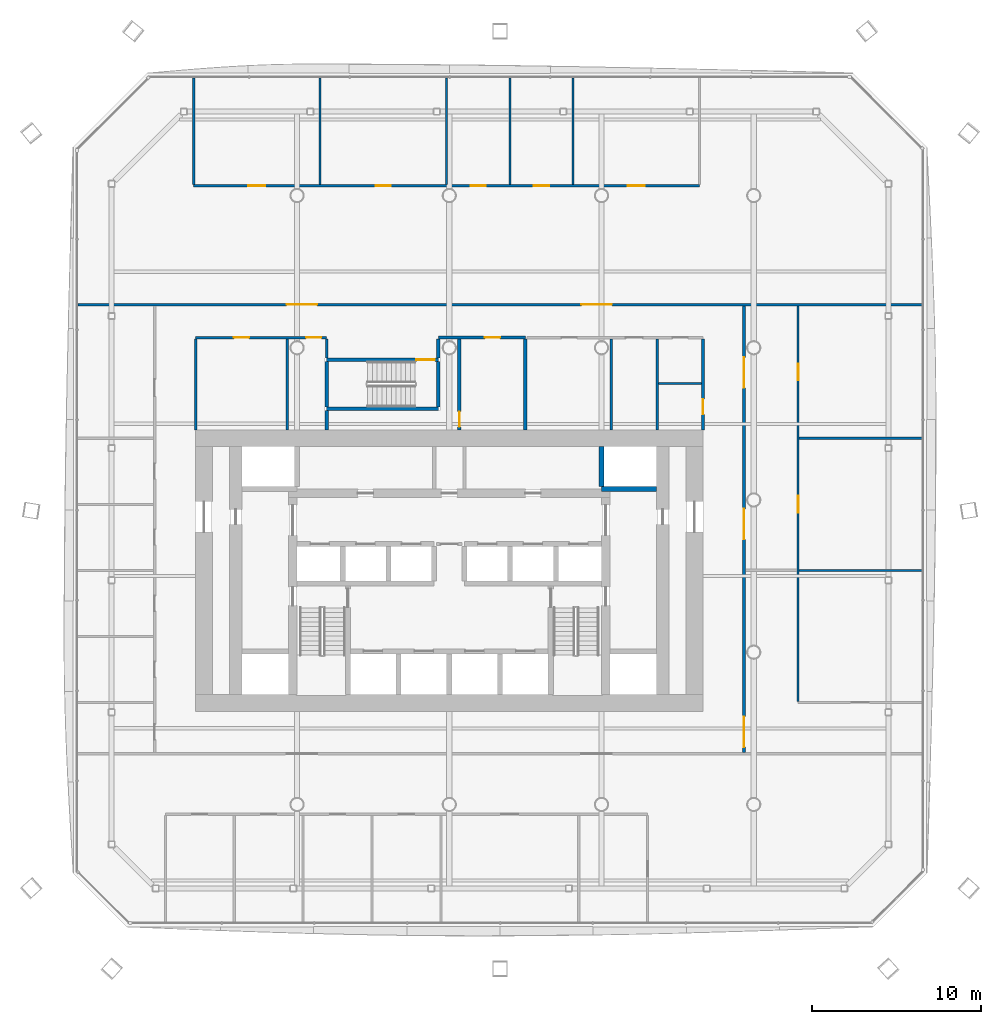
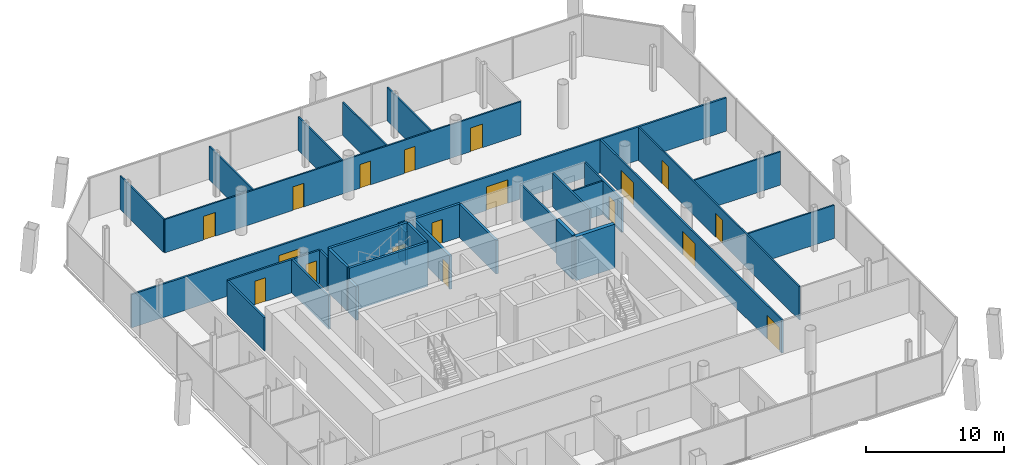
# One storey, part 13 of 19: 30 walls, 18 doors, 18 openings.
"""IFC4 building model written with IfcOpenShell, lengths in metres."""

from ifc_helpers import new_model, si_unit, direction, frame, frame_2d, origin, place, context, subcontext, project, spatial, rectangle, extrude, material, layer, layer_set, type_object, element, fill, save


model = new_model("IFC4")

# Units and contexts
model_context = context("Model", 3, precision=1e-05, world=origin(), true_north=direction((0.0, 1.0)))
body_context = subcontext(model_context, "Body", "Model", "MODEL_VIEW")
ifc_project = project(units=[si_unit("LENGTHUNIT", "METRE"), si_unit("AREAUNIT", "SQUARE_METRE"), si_unit("VOLUMEUNIT", "CUBIC_METRE"), si_unit("PLANEANGLEUNIT", "RADIAN"), si_unit("MASSUNIT", "GRAM", prefix="KILO")], contexts=[model_context])

# Site, building, storey
site_placement = place(None, origin())
site = spatial("IfcSite", under=ifc_project, at=site_placement, CompositionType="ELEMENT")
building_placement = place(site_placement, origin())
building = spatial("IfcBuilding", under=site, at=building_placement, Name="Tskaro Facet Tower", CompositionType="ELEMENT")
storey_placement = place(building_placement, frame((0.0, 0.0, 81.60009765625)))
storey = spatial("IfcBuildingStorey", under=building, at=storey_placement, Name="L19", CompositionType="ELEMENT", Elevation=81.60009765625)

# Walls
ifc_material_1 = material(Name="Concrete C60/75", Category="concrete")
ifc_layer_1 = layer(ifc_material_1, 0.300048828125, Name="Concrete C60/75")
ifc_layer_set_1 = layer_set([ifc_layer_1], Name="Concrete C60/75")
wall_type_1 = type_object("IfcWallType", Name="CORE-SHAFT", PredefinedType="SHEAR", material=ifc_layer_set_1)
wall_1_placement = place(storey_placement, frame((12.25, 0.64990234375, 0.0), z_axis=(0.0, 0.0, 1.0), x_axis=(-1.0, 0.0, 0.0)))
element("IfcWall", 1, at=wall_1_placement, inside=storey, type_object=wall_type_1, Name="Shaft wall W019", PredefinedType="SHEAR", context=body_context, shape_type="SweptSolid", body=[
    extrude(rectangle(XDim=3.25, YDim=0.300048828125, at=frame_2d((1.625, 0.0))), origin(), (0.0, 0.0, 1.0), 3.89990234375),
])
wall_2_placement = place(storey_placement, frame((9.0, 0.800048828125, 0.0), z_axis=(0.0, 0.0, 1.0), x_axis=(0.0, 1.0, 0.0)))
element("IfcWall", 2, at=wall_2_placement, inside=storey, type_object=wall_type_1, Name="Shaft wall W065", PredefinedType="SHEAR", context=body_context, shape_type="SweptSolid", body=[
    extrude(rectangle(XDim=2.349853515625, YDim=0.300048828125, at=frame_2d((1.1748046875, 0.0))), origin(), (0.0, 0.0, 1.0), 3.89990234375),
])
ifc_material_2 = material(Name="Gypsum board on steel studs", Category="steel")
ifc_layer_2 = layer(ifc_material_2, 0.125, Name="Gypsum board on steel studs")
ifc_layer_set_2 = layer_set([ifc_layer_2], Name="Gypsum board on steel studs")
wall_type_2 = type_object("IfcWallType", Name="PART", PredefinedType="PARTITIONING", material=ifc_layer_set_2)
for number, where, z_axis, x_axis, name in (
    (3, (20.6875, -4.162109375, 0.0), (0.0, 0.0, 1.0), (1.0, 0.0, 0.0), "Partition W013"),
    (4, (20.6875, 3.64794921875, 0.0), (0.0, 0.0, 1.0), (1.0, 0.0, 0.0), "Partition W021"),
):
    element("IfcWall", number, at=place(storey_placement, frame(where, z_axis=z_axis, x_axis=x_axis)), inside=storey, type_object=wall_type_2, Name=name, PredefinedType="PARTITIONING", context=body_context, shape_type="SweptSolid", body=[
        extrude(rectangle(XDim=7.2734375, YDim=0.125, at=frame_2d((3.63671875, 0.0))), origin(), (0.0, 0.0, 1.0), 2.9599609375),
    ])
wall_3_placement = place(storey_placement, frame((12.375, 6.8779296875, 0.0), z_axis=(0.0, 0.0, 1.0), x_axis=(1.0, 0.0, 0.0)))
element("IfcWall", 5, at=wall_3_placement, inside=storey, type_object=wall_type_2, Name="Partition W023", PredefinedType="PARTITIONING", context=body_context, shape_type="SweptSolid", body=[
    extrude(rectangle(XDim=2.550048828125, YDim=0.125, at=frame_2d((1.27490234375, 0.0))), origin(), (0.0, 0.0, 1.0), 2.9599609375),
])

# Wall, openings, doors
wall_4_placement = place(storey_placement, frame((-15.110107421875, 18.580078125, 0.0), z_axis=(0.0, 0.0, 1.0), x_axis=(1.0, 0.0, 0.0)))
wall_4 = element("IfcWall", 6, at=wall_4_placement, inside=storey, type_object=wall_type_2, Name="Partition W029", PredefinedType="PARTITIONING", context=body_context, shape_type="SweptSolid", body=[
    extrude(rectangle(XDim=29.904052734375, YDim=0.125, at=frame_2d((14.9521484375, 0.0))), origin(), (0.0, 0.0, 1.0), 2.9599609375),
])
opening_1_placement = place(wall_4_placement, frame((25.666015625, 0.0, 0.0)))
opening_1 = element("IfcOpeningElement", 7, at=opening_1_placement, cuts=wall_4, Name="Opening T5-D48", PredefinedType="OPENING", context=body_context, shape_type="SweptSolid", body=[
    extrude(rectangle(XDim=1.0, YDim=2.10009765625, at=frame_2d((0.5, 1.050048828125))), frame((0.0, 0.072509765625, 0.0), z_axis=(0.0, -1.0, 0.0), x_axis=(1.0, 0.0, 0.0)), (0.0, 0.0, 1.0), 0.14501953125),
])
opening_2_placement = place(wall_4_placement, frame((3.238037109375, 0.0, 0.0)))
opening_2 = element("IfcOpeningElement", 8, at=opening_2_placement, cuts=wall_4, Name="Opening T5-D44", PredefinedType="OPENING", context=body_context, shape_type="SweptSolid", body=[
    extrude(rectangle(XDim=1.0, YDim=2.10009765625, at=frame_2d((0.5, 1.050048828125))), frame((0.0, 0.072509765625, 0.0), z_axis=(0.0, -1.0, 0.0), x_axis=(1.0, 0.0, 0.0)), (0.0, 0.0, 1.0), 0.14501953125),
])
opening_3_placement = place(wall_4_placement, frame((10.763916015625, 0.0, 0.0)))
opening_3 = element("IfcOpeningElement", 9, at=opening_3_placement, cuts=wall_4, Name="Opening T5-D45", PredefinedType="OPENING", context=body_context, shape_type="SweptSolid", body=[
    extrude(rectangle(XDim=0.89990234375, YDim=2.10009765625, at=frame_2d((0.449951171875, 1.050048828125))), frame((0.0, 0.072509765625, 0.0), z_axis=(0.0, -1.0, 0.0), x_axis=(1.0, 0.0, 0.0)), (0.0, 0.0, 1.0), 0.14501953125),
])
opening_4_placement = place(wall_4_placement, frame((16.37109375, 0.0, 0.0)))
opening_4 = element("IfcOpeningElement", 10, at=opening_4_placement, cuts=wall_4, Name="Opening T5-D46", PredefinedType="OPENING", context=body_context, shape_type="SweptSolid", body=[
    extrude(rectangle(XDim=0.89990234375, YDim=2.10009765625, at=frame_2d((0.449951171875, 1.050048828125))), frame((0.0, 0.072509765625, 0.0), z_axis=(0.0, -1.0, 0.0), x_axis=(1.0, 0.0, 0.0)), (0.0, 0.0, 1.0), 0.14501953125),
])
opening_5_placement = place(wall_4_placement, frame((20.10888671875, 0.0, 0.0)))
opening_5 = element("IfcOpeningElement", 11, at=opening_5_placement, cuts=wall_4, Name="Opening T5-D47", PredefinedType="OPENING", context=body_context, shape_type="SweptSolid", body=[
    extrude(rectangle(XDim=0.89990234375, YDim=2.10009765625, at=frame_2d((0.449951171875, 1.050048828125))), frame((0.0, 0.072509765625, 0.0), z_axis=(0.0, -1.0, 0.0), x_axis=(1.0, 0.0, 0.0)), (0.0, 0.0, 1.0), 0.14501953125),
])
ifc_material_3 = material(Name="Timber", Category="wood")
door_type_1 = type_object("IfcDoorType", Name="D-ROOM", OperationType="NOTDEFINED", PredefinedType="DOOR", material=ifc_material_3)
door_1_placement = place(opening_3_placement, origin())
door_1 = element("IfcDoor", 12, at=door_1_placement, inside=storey, type_object=door_type_1, Name="Door T5-D45", OperationType="SINGLE_SWING_LEFT", OverallHeight=2.10009765625, OverallWidth=0.89990234375, PredefinedType="DOOR", context=body_context, shape_type="SweptSolid", body=[
    extrude(rectangle(XDim=0.89990234375, YDim=2.10009765625, at=frame_2d((0.449951171875, 1.050048828125))), frame((0.0, 0.02490234375, 0.0), z_axis=(0.0, -1.0, 0.0), x_axis=(1.0, 0.0, 0.0)), (0.0, 0.0, 1.0), 0.050048828125),
])
fill(opening_3, door_1)
door_2_placement = place(opening_4_placement, origin())
door_2 = element("IfcDoor", 13, at=door_2_placement, inside=storey, type_object=door_type_1, Name="Door T5-D46", OperationType="SINGLE_SWING_LEFT", OverallHeight=2.10009765625, OverallWidth=0.89990234375, PredefinedType="DOOR", context=body_context, shape_type="SweptSolid", body=[
    extrude(rectangle(XDim=0.89990234375, YDim=2.10009765625, at=frame_2d((0.449951171875, 1.050048828125))), frame((0.0, 0.02490234375, 0.0), z_axis=(0.0, -1.0, 0.0), x_axis=(1.0, 0.0, 0.0)), (0.0, 0.0, 1.0), 0.050048828125),
])
fill(opening_4, door_2)
door_3_placement = place(opening_5_placement, origin())
door_3 = element("IfcDoor", 14, at=door_3_placement, inside=storey, type_object=door_type_1, Name="Door T5-D47", OperationType="SINGLE_SWING_LEFT", OverallHeight=2.10009765625, OverallWidth=0.89990234375, PredefinedType="DOOR", context=body_context, shape_type="SweptSolid", body=[
    extrude(rectangle(XDim=0.89990234375, YDim=2.10009765625, at=frame_2d((0.449951171875, 1.050048828125))), frame((0.0, 0.02490234375, 0.0), z_axis=(0.0, -1.0, 0.0), x_axis=(1.0, 0.0, 0.0)), (0.0, 0.0, 1.0), 0.050048828125),
])
fill(opening_5, door_3)
door_type_2 = type_object("IfcDoorType", Name="D-ROOM-WIDE", OperationType="NOTDEFINED", PredefinedType="DOOR", material=ifc_material_3)
door_4_placement = place(opening_1_placement, origin())
door_4 = element("IfcDoor", 15, at=door_4_placement, inside=storey, type_object=door_type_2, Name="Door T5-D48", OperationType="SINGLE_SWING_LEFT", OverallHeight=2.10009765625, OverallWidth=1.0, PredefinedType="DOOR", context=body_context, shape_type="SweptSolid", body=[
    extrude(rectangle(XDim=1.0, YDim=2.10009765625, at=frame_2d((0.5, 1.050048828125))), frame((0.0, 0.02490234375, 0.0), z_axis=(0.0, -1.0, 0.0), x_axis=(1.0, 0.0, 0.0)), (0.0, 0.0, 1.0), 0.050048828125),
])
fill(opening_1, door_4)
door_5_placement = place(opening_2_placement, origin())
door_5 = element("IfcDoor", 16, at=door_5_placement, inside=storey, type_object=door_type_2, Name="Door T5-D44", OperationType="SINGLE_SWING_LEFT", OverallHeight=2.10009765625, OverallWidth=1.0, PredefinedType="DOOR", context=body_context, shape_type="SweptSolid", body=[
    extrude(rectangle(XDim=1.0, YDim=2.10009765625, at=frame_2d((0.5, 1.050048828125))), frame((0.0, 0.02490234375, 0.0), z_axis=(0.0, -1.0, 0.0), x_axis=(1.0, 0.0, 0.0)), (0.0, 0.0, 1.0), 0.050048828125),
])
fill(opening_2, door_5)

# Walls
for number, where, z_axis, x_axis, name in (
    (17, (-15.110107421875, 18.642578125, 0.0), (0.0, 0.0, 1.0), (0.0, 1.0, 0.0), "Partition W032"),
    (18, (-7.634033203125, 18.642578125, 0.0), (0.0, 0.0, 1.0), (0.0, 1.0, 0.0), "Partition W038"),
    (19, (-0.157958984375, 18.642578125, 0.0), (0.0, 0.0, 1.0), (0.0, 1.0, 0.0), "Partition W052"),
    (20, (3.580078125, 18.642578125, 0.0), (0.0, 0.0, 1.0), (0.0, 1.0, 0.0), "Partition W058"),
    (21, (7.318115234375, 18.642578125, 0.0), (0.0, 0.0, 1.0), (0.0, 1.0, 0.0), "Partition W063"),
):
    element("IfcWall", number, at=place(storey_placement, frame(where, z_axis=z_axis, x_axis=x_axis)), inside=storey, type_object=wall_type_2, Name=name, PredefinedType="PARTITIONING", context=body_context, shape_type="SweptSolid", body=[
        extrude(rectangle(XDim=6.318359375, YDim=0.125, at=frame_2d((3.1591796875, 0.0))), origin(), (0.0, 0.0, 1.0), 2.9599609375),
    ])

# Wall, openings, doors
wall_5_placement = place(storey_placement, frame((20.625, 11.47998046875, 0.0), z_axis=(0.0, 0.0, 1.0), x_axis=(0.0, -1.0, 0.0)))
wall_5 = element("IfcWall", 22, at=wall_5_placement, inside=storey, type_object=wall_type_2, Name="Partition W072", PredefinedType="PARTITIONING", context=body_context, shape_type="SweptSolid", body=[
    extrude(rectangle(XDim=23.390380859375, YDim=0.125, at=frame_2d((11.6953125, 0.0))), origin(), (0.0, 0.0, 1.0), 2.9599609375),
])
opening_6_placement = place(wall_5_placement, frame((11.237060546875, 0.0, 0.0)))
opening_6 = element("IfcOpeningElement", 23, at=opening_6_placement, cuts=wall_5, Name="Opening T5-D24", PredefinedType="OPENING", context=body_context, shape_type="SweptSolid", body=[
    extrude(rectangle(XDim=1.0, YDim=2.10009765625, at=frame_2d((0.5, 1.050048828125))), frame((0.0, 0.072509765625, 0.0), z_axis=(0.0, -1.0, 0.0), x_axis=(1.0, 0.0, 0.0)), (0.0, 0.0, 1.0), 0.14501953125),
])
opening_7_placement = place(wall_5_placement, frame((3.416015625, 0.0, 0.0)))
opening_7 = element("IfcOpeningElement", 24, at=opening_7_placement, cuts=wall_5, Name="Opening T5-D35", PredefinedType="OPENING", context=body_context, shape_type="SweptSolid", body=[
    extrude(rectangle(XDim=1.0, YDim=2.10009765625, at=frame_2d((0.5, 1.050048828125))), frame((0.0, 0.072509765625, 0.0), z_axis=(0.0, -1.0, 0.0), x_axis=(1.0, 0.0, 0.0)), (0.0, 0.0, 1.0), 0.14501953125),
])
door_6_placement = place(opening_6_placement, origin())
door_6 = element("IfcDoor", 25, at=door_6_placement, inside=storey, type_object=door_type_2, Name="Door T5-D24", OperationType="SINGLE_SWING_RIGHT", OverallHeight=2.10009765625, OverallWidth=1.0, PredefinedType="DOOR", context=body_context, shape_type="SweptSolid", body=[
    extrude(rectangle(XDim=1.0, YDim=2.10009765625, at=frame_2d((0.5, 1.050048828125))), frame((0.0, 0.02490234375, 0.0), z_axis=(0.0, -1.0, 0.0), x_axis=(1.0, 0.0, 0.0)), (0.0, 0.0, 1.0), 0.050048828125),
])
fill(opening_6, door_6)
door_7_placement = place(opening_7_placement, origin())
door_7 = element("IfcDoor", 26, at=door_7_placement, inside=storey, type_object=door_type_2, Name="Door T5-D35", OperationType="SINGLE_SWING_RIGHT", OverallHeight=2.10009765625, OverallWidth=1.0, PredefinedType="DOOR", context=body_context, shape_type="SweptSolid", body=[
    extrude(rectangle(XDim=1.0, YDim=2.10009765625, at=frame_2d((0.5, 1.050048828125))), frame((0.0, 0.02490234375, 0.0), z_axis=(0.0, -1.0, 0.0), x_axis=(1.0, 0.0, 0.0)), (0.0, 0.0, 1.0), 0.050048828125),
])
fill(opening_7, door_7)

ifc_layer_3 = layer(ifc_material_2, 0.14990234375, Name="Gypsum board on steel studs")
ifc_layer_set_3 = layer_set([ifc_layer_3], Name="Gypsum board on steel studs")
wall_type_3 = type_object("IfcWallType", Name="PART-CORR", PredefinedType="PARTITIONING", material=ifc_layer_set_3)
wall_6_placement = place(storey_placement, frame((-7.25, 9.60498046875, 0.0), z_axis=(0.0, 0.0, 1.0), x_axis=(-1.0, 0.0, 0.0)))
wall_6 = element("IfcWall", 27, at=wall_6_placement, inside=storey, type_object=wall_type_3, Name="Corridor wall W025", PredefinedType="PARTITIONING", context=body_context, shape_type="SweptSolid", body=[
    extrude(rectangle(XDim=7.75, YDim=0.14990234375, at=frame_2d((3.875, 0.0))), origin(), (0.0, 0.0, 1.0), 2.9599609375),
])
opening_8_placement = place(wall_6_placement, frame((0.3125, 0.0, 0.0)))
opening_8 = element("IfcOpeningElement", 28, at=opening_8_placement, cuts=wall_6, Name="Opening T5-D37", PredefinedType="OPENING", context=body_context, shape_type="SweptSolid", body=[
    extrude(rectangle(XDim=0.89990234375, YDim=2.10009765625, at=frame_2d((0.449951171875, 1.050048828125))), frame((0.0, 0.0849609375, 0.0), z_axis=(0.0, -1.0, 0.0), x_axis=(1.0, 0.0, 0.0)), (0.0, 0.0, 1.0), 0.169921875),
])
opening_9_placement = place(wall_6_placement, frame((4.58740234375, 0.0, 0.0)))
opening_9 = element("IfcOpeningElement", 29, at=opening_9_placement, cuts=wall_6, Name="Opening T5-D36", PredefinedType="OPENING", context=body_context, shape_type="SweptSolid", body=[
    extrude(rectangle(XDim=0.89990234375, YDim=2.10009765625, at=frame_2d((0.449951171875, 1.050048828125))), frame((0.0, 0.0849609375, 0.0), z_axis=(0.0, -1.0, 0.0), x_axis=(1.0, 0.0, 0.0)), (0.0, 0.0, 1.0), 0.169921875),
])
ifc_material_4 = material(Name="Steel", Category="steel")
door_type_3 = type_object("IfcDoorType", Name="D-RISER", OperationType="NOTDEFINED", PredefinedType="DOOR", material=ifc_material_4)
door_8_placement = place(opening_8_placement, origin())
door_8 = element("IfcDoor", 30, at=door_8_placement, inside=storey, type_object=door_type_3, Name="Door T5-D37", OperationType="SINGLE_SWING_RIGHT", OverallHeight=2.10009765625, OverallWidth=0.89990234375, PredefinedType="DOOR", context=body_context, shape_type="SweptSolid", body=[
    extrude(rectangle(XDim=0.89990234375, YDim=2.10009765625, at=frame_2d((0.449951171875, 1.050048828125))), frame((0.0, 0.02490234375, 0.0), z_axis=(0.0, -1.0, 0.0), x_axis=(1.0, 0.0, 0.0)), (0.0, 0.0, 1.0), 0.050048828125),
])
fill(opening_8, door_8)
door_9_placement = place(opening_9_placement, origin())
door_9 = element("IfcDoor", 31, at=door_9_placement, inside=storey, type_object=door_type_1, Name="Door T5-D36", OperationType="SINGLE_SWING_RIGHT", OverallHeight=2.10009765625, OverallWidth=0.89990234375, PredefinedType="DOOR", context=body_context, shape_type="SweptSolid", body=[
    extrude(rectangle(XDim=0.89990234375, YDim=2.10009765625, at=frame_2d((0.449951171875, 1.050048828125))), frame((0.0, 0.02490234375, 0.0), z_axis=(0.0, -1.0, 0.0), x_axis=(1.0, 0.0, 0.0)), (0.0, 0.0, 1.0), 0.050048828125),
])
fill(opening_9, door_9)

wall_7_placement = place(storey_placement, frame((27.9609375, 11.554931640625, 0.0), z_axis=(0.0, 0.0, 1.0), x_axis=(-1.0, 0.0, 0.0)))
wall_7 = element("IfcWall", 32, at=wall_7_placement, inside=storey, type_object=wall_type_3, Name="Corridor wall W028", PredefinedType="PARTITIONING", context=body_context, shape_type="SweptSolid", body=[
    extrude(rectangle(XDim=49.921875, YDim=0.14990234375, at=frame_2d((24.9609375, 0.0))), origin(), (0.0, 0.0, 1.0), 2.9599609375),
])
opening_10_placement = place(wall_7_placement, frame((35.77392578125, 0.0, 0.0)))
opening_10 = element("IfcOpeningElement", 33, at=opening_10_placement, cuts=wall_7, Name="Opening T5-D42", PredefinedType="OPENING", context=body_context, shape_type="SweptSolid", body=[
    extrude(rectangle(XDim=1.800048828125, YDim=2.10009765625, at=frame_2d((0.89990234375, 1.050048828125))), frame((0.0, 0.0849609375, 0.0), z_axis=(0.0, -1.0, 0.0), x_axis=(1.0, 0.0, 0.0)), (0.0, 0.0, 1.0), 0.169921875),
])
opening_11_placement = place(wall_7_placement, frame((18.347900390625, 0.0, 0.0)))
opening_11 = element("IfcOpeningElement", 34, at=opening_11_placement, cuts=wall_7, Name="Opening T5-D43", PredefinedType="OPENING", context=body_context, shape_type="SweptSolid", body=[
    extrude(rectangle(XDim=1.800048828125, YDim=2.10009765625, at=frame_2d((0.89990234375, 1.050048828125))), frame((0.0, 0.0849609375, 0.0), z_axis=(0.0, -1.0, 0.0), x_axis=(1.0, 0.0, 0.0)), (0.0, 0.0, 1.0), 0.169921875),
])
ifc_material_5 = material(Name="Glass", Category="glass")
door_type_4 = type_object("IfcDoorType", Name="D-ENTRY-PAIR", OperationType="NOTDEFINED", PredefinedType="DOOR", material=ifc_material_5)
door_10_placement = place(opening_10_placement, origin())
door_10 = element("IfcDoor", 35, at=door_10_placement, inside=storey, type_object=door_type_4, Name="Door T5-D42", OperationType="DOUBLE_DOOR_SINGLE_SWING", OverallHeight=2.10009765625, OverallWidth=1.800048828125, PredefinedType="DOOR", context=body_context, shape_type="SweptSolid", body=[
    extrude(rectangle(XDim=1.800048828125, YDim=2.10009765625, at=frame_2d((0.89990234375, 1.050048828125))), frame((0.0, 0.02490234375, 0.0), z_axis=(0.0, -1.0, 0.0), x_axis=(1.0, 0.0, 0.0)), (0.0, 0.0, 1.0), 0.050048828125),
])
fill(opening_10, door_10)
door_11_placement = place(opening_11_placement, origin())
door_11 = element("IfcDoor", 36, at=door_11_placement, inside=storey, type_object=door_type_4, Name="Door T5-D43", OperationType="DOUBLE_DOOR_SINGLE_SWING", OverallHeight=2.10009765625, OverallWidth=1.800048828125, PredefinedType="DOOR", context=body_context, shape_type="SweptSolid", body=[
    extrude(rectangle(XDim=1.800048828125, YDim=2.10009765625, at=frame_2d((0.89990234375, 1.050048828125))), frame((0.0, 0.02490234375, 0.0), z_axis=(0.0, -1.0, 0.0), x_axis=(1.0, 0.0, 0.0)), (0.0, 0.0, 1.0), 0.050048828125),
])
fill(opening_11, door_11)

# Walls
for number, where, z_axis, x_axis, name in (
    (37, (-15.0, 4.14990234375, 0.0), (0.0, 0.0, 1.0), (0.0, 1.0, 0.0), "Corridor wall W033"),
    (38, (-9.574951171875, 4.14990234375, 0.0), (0.0, 0.0, 1.0), (0.0, 1.0, 0.0), "Corridor wall W035"),
):
    element("IfcWall", number, at=place(storey_placement, frame(where, z_axis=z_axis, x_axis=x_axis)), inside=storey, type_object=wall_type_3, Name=name, PredefinedType="PARTITIONING", context=body_context, shape_type="SweptSolid", body=[
        extrude(rectangle(XDim=5.380126953125, YDim=0.14990234375, at=frame_2d((2.68994140625, 0.0))), origin(), (0.0, 0.0, 1.0), 2.9599609375),
    ])
wall_8_placement = place(storey_placement, frame((-7.25, 8.39990234375, 0.0), z_axis=(0.0, 0.0, 1.0), x_axis=(0.0, 1.0, 0.0)))
element("IfcWall", 39, at=wall_8_placement, inside=storey, type_object=wall_type_3, Name="Corridor wall W041", PredefinedType="PARTITIONING", context=body_context, shape_type="SweptSolid", body=[
    extrude(rectangle(XDim=1.130126953125, YDim=0.14990234375, at=frame_2d((0.56494140625, 0.0))), origin(), (0.0, 0.0, 1.0), 2.9599609375),
])
for number, where, z_axis, x_axis, name in (
    (40, (9.574951171875, 4.14990234375, 0.0), (0.0, 0.0, 1.0), (0.0, 1.0, 0.0), "Corridor wall W066"),
    (41, (12.300048828125, 4.14990234375, 0.0), (0.0, 0.0, 1.0), (0.0, 1.0, 0.0), "Corridor wall W068"),
):
    element("IfcWall", number, at=place(storey_placement, frame(where, z_axis=z_axis, x_axis=x_axis)), inside=storey, type_object=wall_type_3, Name=name, PredefinedType="PARTITIONING", context=body_context, shape_type="SweptSolid", body=[
        extrude(rectangle(XDim=5.380126953125, YDim=0.14990234375, at=frame_2d((2.68994140625, 0.0))), origin(), (0.0, 0.0, 1.0), 2.9599609375),
    ])

# Wall, opening, door
wall_9_placement = place(storey_placement, frame((15.0, 4.14990234375, 0.0), z_axis=(0.0, 0.0, 1.0), x_axis=(0.0, 1.0, 0.0)))
wall_9 = element("IfcWall", 42, at=wall_9_placement, inside=storey, type_object=wall_type_3, Name="Corridor wall W070", PredefinedType="PARTITIONING", context=body_context, shape_type="SweptSolid", body=[
    extrude(rectangle(XDim=5.380126953125, YDim=0.14990234375, at=frame_2d((2.68994140625, 0.0))), origin(), (0.0, 0.0, 1.0), 2.9599609375),
])
opening_12_placement = place(wall_9_placement, frame((0.9140625, 0.0, 0.0)))
opening_12 = element("IfcOpeningElement", 43, at=opening_12_placement, cuts=wall_9, Name="Opening T5-D32", PredefinedType="OPENING", context=body_context, shape_type="SweptSolid", body=[
    extrude(rectangle(XDim=0.89990234375, YDim=2.10009765625, at=frame_2d((0.449951171875, 1.050048828125))), frame((0.0, 0.0849609375, 0.0), z_axis=(0.0, -1.0, 0.0), x_axis=(1.0, 0.0, 0.0)), (0.0, 0.0, 1.0), 0.169921875),
])
door_12_placement = place(opening_12_placement, origin())
door_12 = element("IfcDoor", 44, at=door_12_placement, inside=storey, type_object=door_type_1, Name="Door T5-D32", OperationType="SINGLE_SWING_LEFT", OverallHeight=2.10009765625, OverallWidth=0.89990234375, PredefinedType="DOOR", context=body_context, shape_type="SweptSolid", body=[
    extrude(rectangle(XDim=0.89990234375, YDim=2.10009765625, at=frame_2d((0.449951171875, 1.050048828125))), frame((0.0, 0.02490234375, 0.0), z_axis=(0.0, -1.0, 0.0), x_axis=(1.0, 0.0, 0.0)), (0.0, 0.0, 1.0), 0.050048828125),
])
fill(opening_12, door_12)

# Wall, openings, doors
wall_10_placement = place(storey_placement, frame((17.425048828125, -14.925048828125, 0.0), z_axis=(0.0, 0.0, 1.0), x_axis=(0.0, 1.0, 0.0)))
wall_10 = element("IfcWall", 45, at=wall_10_placement, inside=storey, type_object=wall_type_3, Name="Corridor wall W071", PredefinedType="PARTITIONING", context=body_context, shape_type="SweptSolid", body=[
    extrude(rectangle(XDim=26.405029296875, YDim=0.14990234375, at=frame_2d((13.20263671875, 0.0))), origin(), (0.0, 0.0, 1.0), 2.9599609375),
])
opening_13_placement = place(wall_10_placement, frame((0.3125, 0.0, 0.0)))
opening_13 = element("IfcOpeningElement", 46, at=opening_13_placement, cuts=wall_10, Name="Opening T5-D10", PredefinedType="OPENING", context=body_context, shape_type="SweptSolid", body=[
    extrude(rectangle(XDim=1.800048828125, YDim=2.10009765625, at=frame_2d((0.89990234375, 1.050048828125))), frame((0.0, 0.0849609375, 0.0), z_axis=(0.0, -1.0, 0.0), x_axis=(1.0, 0.0, 0.0)), (0.0, 0.0, 1.0), 0.169921875),
])
opening_14_placement = place(wall_10_placement, frame((12.592041015625, 0.0, 0.0)))
opening_14 = element("IfcOpeningElement", 47, at=opening_14_placement, cuts=wall_10, Name="Opening T5-D17", PredefinedType="OPENING", context=body_context, shape_type="SweptSolid", body=[
    extrude(rectangle(XDim=1.800048828125, YDim=2.10009765625, at=frame_2d((0.89990234375, 1.050048828125))), frame((0.0, 0.0849609375, 0.0), z_axis=(0.0, -1.0, 0.0), x_axis=(1.0, 0.0, 0.0)), (0.0, 0.0, 1.0), 0.169921875),
])
opening_15_placement = place(wall_10_placement, frame((21.551025390625, 0.0, 0.0)))
opening_15 = element("IfcOpeningElement", 48, at=opening_15_placement, cuts=wall_10, Name="Opening T5-D34", PredefinedType="OPENING", context=body_context, shape_type="SweptSolid", body=[
    extrude(rectangle(XDim=1.800048828125, YDim=2.10009765625, at=frame_2d((0.89990234375, 1.050048828125))), frame((0.0, 0.0849609375, 0.0), z_axis=(0.0, -1.0, 0.0), x_axis=(1.0, 0.0, 0.0)), (0.0, 0.0, 1.0), 0.169921875),
])
door_13_placement = place(opening_13_placement, origin())
door_13 = element("IfcDoor", 49, at=door_13_placement, inside=storey, type_object=door_type_4, Name="Door T5-D10", OperationType="DOUBLE_DOOR_SINGLE_SWING", OverallHeight=2.10009765625, OverallWidth=1.800048828125, PredefinedType="DOOR", context=body_context, shape_type="SweptSolid", body=[
    extrude(rectangle(XDim=1.800048828125, YDim=2.10009765625, at=frame_2d((0.89990234375, 1.050048828125))), frame((0.0, 0.02490234375, 0.0), z_axis=(0.0, -1.0, 0.0), x_axis=(1.0, 0.0, 0.0)), (0.0, 0.0, 1.0), 0.050048828125),
])
fill(opening_13, door_13)
door_14_placement = place(opening_14_placement, origin())
door_14 = element("IfcDoor", 50, at=door_14_placement, inside=storey, type_object=door_type_4, Name="Door T5-D17", OperationType="DOUBLE_DOOR_SINGLE_SWING", OverallHeight=2.10009765625, OverallWidth=1.800048828125, PredefinedType="DOOR", context=body_context, shape_type="SweptSolid", body=[
    extrude(rectangle(XDim=1.800048828125, YDim=2.10009765625, at=frame_2d((0.89990234375, 1.050048828125))), frame((0.0, 0.02490234375, 0.0), z_axis=(0.0, -1.0, 0.0), x_axis=(1.0, 0.0, 0.0)), (0.0, 0.0, 1.0), 0.050048828125),
])
fill(opening_14, door_14)
door_15_placement = place(opening_15_placement, origin())
door_15 = element("IfcDoor", 51, at=door_15_placement, inside=storey, type_object=door_type_4, Name="Door T5-D34", OperationType="DOUBLE_DOOR_SINGLE_SWING", OverallHeight=2.10009765625, OverallWidth=1.800048828125, PredefinedType="DOOR", context=body_context, shape_type="SweptSolid", body=[
    extrude(rectangle(XDim=1.800048828125, YDim=2.10009765625, at=frame_2d((0.89990234375, 1.050048828125))), frame((0.0, 0.02490234375, 0.0), z_axis=(0.0, -1.0, 0.0), x_axis=(1.0, 0.0, 0.0)), (0.0, 0.0, 1.0), 0.050048828125),
])
fill(opening_15, door_15)

# Wall
ifc_layer_4 = layer(ifc_material_1, 0.199951171875, Name="Concrete C60/75")
ifc_layer_set_4 = layer_set([ifc_layer_4], Name="Concrete C60/75")
wall_type_4 = type_object("IfcWallType", Name="STAIR-WALL", PredefinedType="SHEAR", material=ifc_layer_set_4)
wall_11_placement = place(storey_placement, frame((-7.25, 5.39990234375, 0.0), z_axis=(0.0, 0.0, 1.0), x_axis=(1.0, 0.0, 0.0)))
element("IfcWall", 52, at=wall_11_placement, inside=storey, type_object=wall_type_4, Name="Stair wall W022", PredefinedType="SHEAR", context=body_context, shape_type="SweptSolid", body=[
    extrude(rectangle(XDim=6.60009765625, YDim=0.199951171875, at=frame_2d((3.300048828125, 0.0))), origin(), (0.0, 0.0, 1.0), 3.89990234375),
])

# Wall, opening, door
wall_12_placement = place(storey_placement, frame((-0.64990234375, 8.300048828125, 0.0), z_axis=(0.0, 0.0, 1.0), x_axis=(-1.0, 0.0, 0.0)))
wall_12 = element("IfcWall", 53, at=wall_12_placement, inside=storey, type_object=wall_type_4, Name="Stair wall W024", PredefinedType="SHEAR", context=body_context, shape_type="SweptSolid", body=[
    extrude(rectangle(XDim=6.60009765625, YDim=0.199951171875, at=frame_2d((3.300048828125, 0.0))), origin(), (0.0, 0.0, 1.0), 3.89990234375),
])
opening_16_placement = place(wall_12_placement, frame((0.199951171875, 0.0, 0.0)))
opening_16 = element("IfcOpeningElement", 54, at=opening_16_placement, cuts=wall_12, Name="Opening ST-3-D1", PredefinedType="OPENING", context=body_context, shape_type="SweptSolid", body=[
    extrude(rectangle(XDim=1.10009765625, YDim=2.10009765625, at=frame_2d((0.550048828125, 1.050048828125))), frame((0.0, 0.10986328125, 0.0), z_axis=(0.0, -1.0, 0.0), x_axis=(1.0, 0.0, 0.0)), (0.0, 0.0, 1.0), 0.219970703125),
])
door_type_5 = type_object("IfcDoorType", Name="D-STAIR", OperationType="NOTDEFINED", PredefinedType="DOOR", material=ifc_material_4)
door_16_placement = place(opening_16_placement, origin())
door_16 = element("IfcDoor", 55, at=door_16_placement, inside=storey, type_object=door_type_5, Name="Stair door 3", OperationType="SINGLE_SWING_RIGHT", OverallHeight=2.10009765625, OverallWidth=1.10009765625, PredefinedType="DOOR", context=body_context, shape_type="SweptSolid", body=[
    extrude(rectangle(XDim=1.10009765625, YDim=2.10009765625, at=frame_2d((0.550048828125, 1.050048828125))), frame((0.0, 0.02490234375, 0.0), z_axis=(0.0, -1.0, 0.0), x_axis=(1.0, 0.0, 0.0)), (0.0, 0.0, 1.0), 0.050048828125),
])
fill(opening_16, door_16)

# Walls
for number, where, z_axis, x_axis, name in (
    (56, (-7.25, 5.5, 0.0), (0.0, 0.0, 1.0), (0.0, 1.0, 0.0), "Stair wall W040"),
    (57, (-0.64990234375, 5.5, 0.0), (0.0, 0.0, 1.0), (0.0, 1.0, 0.0), "Stair wall W049"),
):
    element("IfcWall", number, at=place(storey_placement, frame(where, z_axis=z_axis, x_axis=x_axis)), inside=storey, type_object=wall_type_4, Name=name, PredefinedType="SHEAR", context=body_context, shape_type="SweptSolid", body=[
        extrude(rectangle(XDim=2.699951171875, YDim=0.199951171875, at=frame_2d((1.35009765625, 0.0))), origin(), (0.0, 0.0, 1.0), 3.89990234375),
    ])

# Wall, opening, door
ifc_material_6 = material(Name="Concrete C20/25", Category="concrete")
ifc_layer_5 = layer(ifc_material_6, 0.199951171875, Name="Concrete C20/25")
ifc_layer_set_5 = layer_set([ifc_layer_5], Name="Concrete C20/25")
wall_type_5 = type_object("IfcWallType", Name="WALL-RISER", PredefinedType="SOLIDWALL", material=ifc_layer_set_5)
wall_13_placement = place(storey_placement, frame((4.5, 9.60498046875, 0.0), z_axis=(0.0, 0.0, 1.0), x_axis=(-1.0, 0.0, 0.0)))
wall_13 = element("IfcWall", 58, at=wall_13_placement, inside=storey, type_object=wall_type_5, Name="Riser room wall W026", PredefinedType="SOLIDWALL", context=body_context, shape_type="SweptSolid", body=[
    extrude(rectangle(XDim=5.14990234375, YDim=0.199951171875, at=frame_2d((2.574951171875, 0.0))), origin(), (0.0, 0.0, 1.0), 2.9599609375),
])
opening_17_placement = place(wall_13_placement, frame((1.5, 0.0, 0.0)))
opening_17 = element("IfcOpeningElement", 59, at=opening_17_placement, cuts=wall_13, Name="Opening T5-D38", PredefinedType="OPENING", context=body_context, shape_type="SweptSolid", body=[
    extrude(rectangle(XDim=0.89990234375, YDim=2.10009765625, at=frame_2d((0.449951171875, 1.050048828125))), frame((0.0, 0.10986328125, 0.0), z_axis=(0.0, -1.0, 0.0), x_axis=(1.0, 0.0, 0.0)), (0.0, 0.0, 1.0), 0.219970703125),
])
door_17_placement = place(opening_17_placement, origin())
door_17 = element("IfcDoor", 60, at=door_17_placement, inside=storey, type_object=door_type_3, Name="Door T5-D38", OperationType="SINGLE_SWING_RIGHT", OverallHeight=2.10009765625, OverallWidth=0.89990234375, PredefinedType="DOOR", context=body_context, shape_type="SweptSolid", body=[
    extrude(rectangle(XDim=0.89990234375, YDim=2.10009765625, at=frame_2d((0.449951171875, 1.050048828125))), frame((0.0, 0.02490234375, 0.0), z_axis=(0.0, -1.0, 0.0), x_axis=(1.0, 0.0, 0.0)), (0.0, 0.0, 1.0), 0.050048828125),
])
fill(opening_17, door_17)

# Walls
wall_14_placement = place(storey_placement, frame((-7.25, 4.14990234375, 0.0), z_axis=(0.0, 0.0, 1.0), x_axis=(0.0, 1.0, 0.0)))
element("IfcWall", 61, at=wall_14_placement, inside=storey, type_object=wall_type_5, Name="Riser room wall W039", PredefinedType="SOLIDWALL", context=body_context, shape_type="SweptSolid", body=[
    extrude(rectangle(XDim=1.150146484375, YDim=0.199951171875, at=frame_2d((0.5751953125, 0.0))), origin(), (0.0, 0.0, 1.0), 2.9599609375),
])
wall_15_placement = place(storey_placement, frame((-0.64990234375, 8.39990234375, 0.0), z_axis=(0.0, 0.0, 1.0), x_axis=(0.0, 1.0, 0.0)))
element("IfcWall", 62, at=wall_15_placement, inside=storey, type_object=wall_type_5, Name="Riser room wall W050", PredefinedType="SOLIDWALL", context=body_context, shape_type="SweptSolid", body=[
    extrude(rectangle(XDim=1.10498046875, YDim=0.199951171875, at=frame_2d((0.552490234375, 0.0))), origin(), (0.0, 0.0, 1.0), 2.9599609375),
])

# Wall, opening, door
wall_16_placement = place(storey_placement, frame((0.60009765625, 4.14990234375, 0.0), z_axis=(0.0, 0.0, 1.0), x_axis=(0.0, 1.0, 0.0)))
wall_16 = element("IfcWall", 63, at=wall_16_placement, inside=storey, type_object=wall_type_5, Name="Riser room wall W054", PredefinedType="SOLIDWALL", context=body_context, shape_type="SweptSolid", body=[
    extrude(rectangle(XDim=5.35498046875, YDim=0.199951171875, at=frame_2d((2.677490234375, 0.0))), origin(), (0.0, 0.0, 1.0), 2.9599609375),
])
opening_18_placement = place(wall_16_placement, frame((0.175048828125, 0.0, 0.0)))
opening_18 = element("IfcOpeningElement", 64, at=opening_18_placement, cuts=wall_16, Name="Opening T5-D31", PredefinedType="OPENING", context=body_context, shape_type="SweptSolid", body=[
    extrude(rectangle(XDim=0.89990234375, YDim=2.10009765625, at=frame_2d((0.449951171875, 1.050048828125))), frame((0.0, 0.10986328125, 0.0), z_axis=(0.0, -1.0, 0.0), x_axis=(1.0, 0.0, 0.0)), (0.0, 0.0, 1.0), 0.219970703125),
])
door_18_placement = place(opening_18_placement, origin())
door_18 = element("IfcDoor", 65, at=door_18_placement, inside=storey, type_object=door_type_3, Name="Door T5-D31", OperationType="SINGLE_SWING_LEFT", OverallHeight=2.10009765625, OverallWidth=0.89990234375, PredefinedType="DOOR", context=body_context, shape_type="SweptSolid", body=[
    extrude(rectangle(XDim=0.89990234375, YDim=2.10009765625, at=frame_2d((0.449951171875, 1.050048828125))), frame((0.0, 0.02490234375, 0.0), z_axis=(0.0, -1.0, 0.0), x_axis=(1.0, 0.0, 0.0)), (0.0, 0.0, 1.0), 0.050048828125),
])
fill(opening_18, door_18)

# Wall
wall_17_placement = place(storey_placement, frame((4.5, 4.14990234375, 0.0), z_axis=(0.0, 0.0, 1.0), x_axis=(0.0, 1.0, 0.0)))
element("IfcWall", 66, at=wall_17_placement, inside=storey, type_object=wall_type_5, Name="Riser room wall W060", PredefinedType="SOLIDWALL", context=body_context, shape_type="SweptSolid", body=[
    extrude(rectangle(XDim=5.35498046875, YDim=0.199951171875, at=frame_2d((2.677490234375, 0.0))), origin(), (0.0, 0.0, 1.0), 2.9599609375),
])

save(model, "model.ifc")
